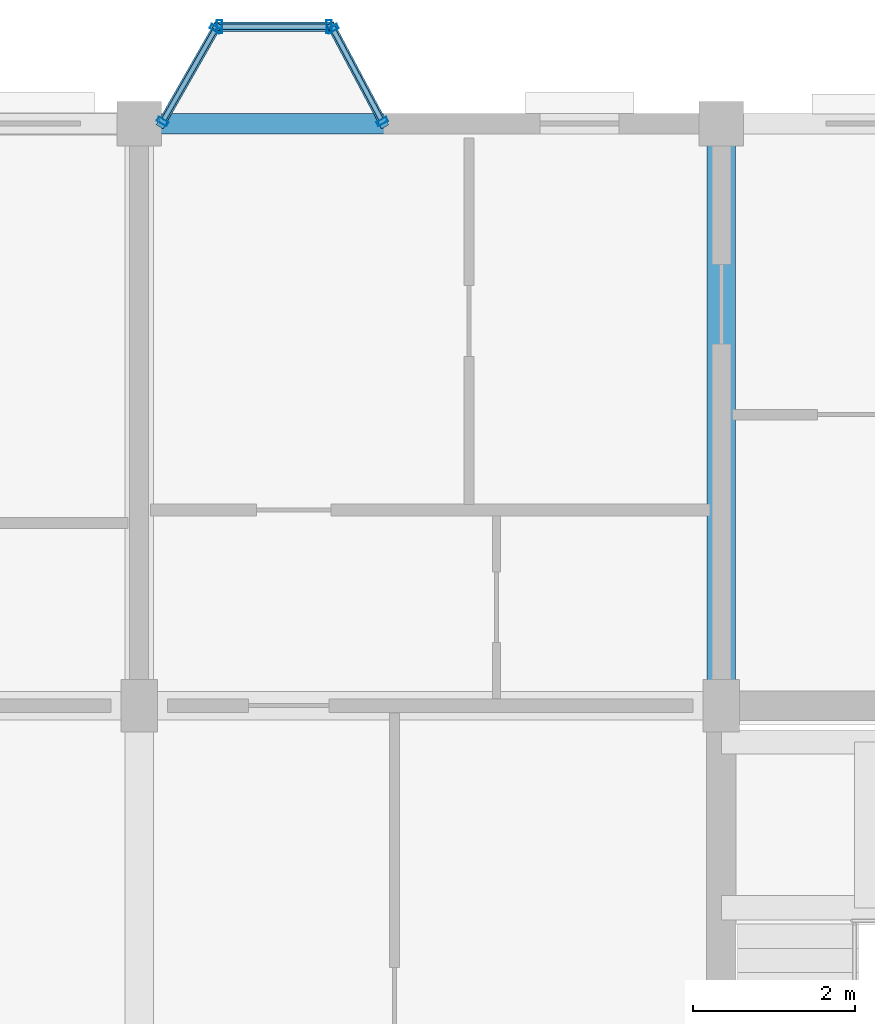
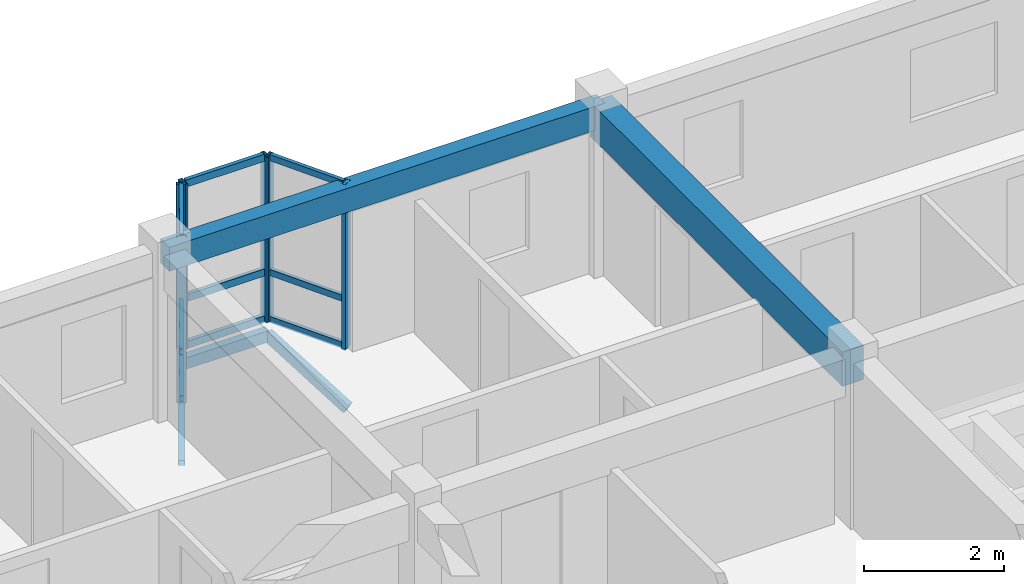
# One storey, part 42 of 79: 18 members, 2 beams, 3 elements without a shape of their own.
"""IFC4 building model written with IfcOpenShell, lengths in metres."""

from ifc_helpers import new_model, si_unit, direction, frame, origin, origin_2d, place, context, subcontext, project, spatial, rectangle, hollow_rectangle, extrude, material, layer, layer_set, material_profile, profile_set, type_object, element, aggregate, save


model = new_model("IFC4")

# Units and contexts
model_context = context("Model", 3, precision=1e-05, world=origin(), true_north=direction((0.0, 1.0)))
body_context = subcontext(model_context, "Body", "Model", "MODEL_VIEW")
ifc_project = project(units=[si_unit("LENGTHUNIT", "METRE"), si_unit("AREAUNIT", "SQUARE_METRE"), si_unit("VOLUMEUNIT", "CUBIC_METRE"), si_unit("PLANEANGLEUNIT", "RADIAN"), si_unit("MASSUNIT", "GRAM", prefix="KILO"), si_unit("THERMODYNAMICTEMPERATUREUNIT", "KELVIN"), si_unit("POWERUNIT", "WATT")], contexts=[model_context])

# Site, building, storey
site_placement = place(None, origin())
site = spatial("IfcSite", under=ifc_project, at=site_placement, CompositionType="ELEMENT")
building_placement = place(site_placement, origin())
building = spatial("IfcBuilding", under=site, at=building_placement, Name="Tavuni Mirador Residences", CompositionType="ELEMENT")
storey_placement = place(building_placement, frame((0.0, 0.0, 13.949951171875)))
storey = spatial("IfcBuildingStorey", under=building, at=storey_placement, Name="L04", CompositionType="ELEMENT", Elevation=13.949951171875)

# Beams
ifc_material_1 = material(Name="Precast concrete C40/50", Category="concrete")
ifc_material_profile_1 = material_profile(ifc_material_1, rectangle(XDim=0.35009765625, YDim=0.60009765625, at=origin_2d()), Name="PC 350x600", Category="concrete")
ifc_profile_set_1 = profile_set([ifc_material_profile_1], Name="Precast concrete C40/50")
beam_type_1 = type_object("IfcBeamType", Name="BT-B600", PredefinedType="BEAM", material=ifc_profile_set_1)
beam_1_placement = place(storey_placement, frame((25.199951171875, 165.60009765625, 2.5849609375), z_axis=(0.0, 1.0, 0.0), x_axis=(-1.0, 0.0, 0.0)))
element("IfcBeam", 1, at=beam_1_placement, inside=storey, type_object=beam_type_1, Name="BMY-BLK-C-L04-02-03", PredefinedType="BEAM", context=body_context, shape_type="SweptSolid", body=[
    extrude(rectangle(XDim=0.35009765625, YDim=0.60009765625, at=origin_2d()), origin(), (0.0, 0.0, 1.0), 7.199951171875),
])
ifc_material_profile_2 = material_profile(ifc_material_1, rectangle(XDim=0.25, YDim=0.419921875, at=origin_2d()), Name="PC 250x420", Category="concrete")
ifc_profile_set_2 = profile_set([ifc_material_profile_2], Name="Precast concrete C40/50")
beam_type_2 = type_object("IfcBeamType", Name="BT-SP420", PredefinedType="SPANDREL", material=ifc_profile_set_2)
beam_2_placement = place(storey_placement, frame((18.0, 172.800048828125, 2.675048828125), z_axis=(1.0, 0.0, 0.0), x_axis=(0.0, 1.0, 0.0)))
element("IfcBeam", 2, at=beam_2_placement, inside=storey, type_object=beam_type_2, Name="BMX-BLK-C-L04-01-04", PredefinedType="SPANDREL", context=body_context, shape_type="SweptSolid", body=[
    extrude(rectangle(XDim=0.25, YDim=0.419921875, at=origin_2d()), origin(), (0.0, 0.0, 1.0), 7.199951171875),
])

# Curtain wall, members
ifc_material_2 = material(Name="Anodised aluminium", Category="aluminium")
ifc_layer_1 = layer(ifc_material_2, 0.175048828125, Name="Anodised aluminium", Category="aluminium")
ifc_layer_set_1 = layer_set([ifc_layer_1], Name="Anodised aluminium")
curtain_wall_type_1 = type_object("IfcCurtainWallType", Name="CWT-MIR-C", PredefinedType="NOTDEFINED", material=ifc_layer_set_1)
curtain_wall_1_placement = place(storey_placement, origin())
curtain_wall_1 = element("IfcCurtainWall", 3, at=curtain_wall_1_placement, inside=storey, type_object=curtain_wall_type_1, Name="CW-MIR-C-N1-L04-M1", PredefinedType="NOTDEFINED")
ifc_material_profile_3 = material_profile(ifc_material_2, hollow_rectangle(XDim=0.06005859375, YDim=0.139892578125, WallThickness=0.00390625, at=origin_2d()), Name="ALU 60x140x4.0", Category="aluminium")
ifc_profile_set_3 = profile_set([ifc_material_profile_3], Name="Anodised aluminium")
member_type_1 = type_object("IfcMemberType", Name="CWM-140", PredefinedType="MULLION", material=ifc_profile_set_3)
member_1_placement = place(storey_placement, frame((21.005859375, 172.826416015625, 0.0), z_axis=(0.0, 0.0, 1.0), x_axis=(-0.470588235296, 0.882352941175, 0.0)))
member_1 = element("IfcMember", 4, at=member_1_placement, type_object=member_type_1, Name="CW-03 mullion 1", PredefinedType="MULLION", context=body_context, shape_type="SweptSolid", body=[
    extrude(hollow_rectangle(XDim=0.06005859375, YDim=0.139892578125, WallThickness=0.00390625, at=origin_2d()), origin(), (0.0, 0.0, 1.0), 2.885009765625),
])
member_2_placement = place(storey_placement, frame((20.39404296875, 173.9736328125, 0.0), z_axis=(0.0, 0.0, 1.0), x_axis=(-0.470588235296, 0.882352941175, 0.0)))
member_2 = element("IfcMember", 5, at=member_2_placement, type_object=member_type_1, Name="CW-03 mullion 2", PredefinedType="MULLION", context=body_context, shape_type="SweptSolid", body=[
    extrude(hollow_rectangle(XDim=0.06005859375, YDim=0.139892578125, WallThickness=0.00390625, at=origin_2d()), origin(), (0.0, 0.0, 1.0), 2.885009765625),
])

ifc_layer_2 = layer(ifc_material_2, 0.1650390625, Name="Anodised aluminium", Category="aluminium")
ifc_layer_set_2 = layer_set([ifc_layer_2], Name="Anodised aluminium")
curtain_wall_type_2 = type_object("IfcCurtainWallType", Name="CWT-MIR-A", PredefinedType="NOTDEFINED", material=ifc_layer_set_2)
curtain_wall_2_placement = place(storey_placement, origin())
curtain_wall_2 = element("IfcCurtainWall", 6, at=curtain_wall_2_placement, inside=storey, type_object=curtain_wall_type_2, Name="CW-MIR-C-N1-L04-M2", PredefinedType="NOTDEFINED")
member_3_placement = place(storey_placement, frame((18.945068359375, 173.973876953125, 0.0), z_axis=(0.0, 0.0, 1.0), x_axis=(-0.495749192217, -0.868465738194, 0.0)))
member_3 = element("IfcMember", 7, at=member_3_placement, type_object=member_type_1, Name="CW-01 mullion 1", PredefinedType="MULLION", context=body_context, shape_type="SweptSolid", body=[
    extrude(hollow_rectangle(XDim=0.06005859375, YDim=0.139892578125, WallThickness=0.00390625, at=origin_2d()), origin(), (0.0, 0.0, 1.0), 2.885009765625),
])
member_4_placement = place(storey_placement, frame((18.289794921875, 172.826171875, 0.0), z_axis=(0.0, 0.0, 1.0), x_axis=(-0.495749192217, -0.868465738194, 0.0)))
member_4 = element("IfcMember", 8, at=member_4_placement, type_object=member_type_1, Name="CW-01 mullion 2", PredefinedType="MULLION", context=body_context, shape_type="SweptSolid", body=[
    extrude(hollow_rectangle(XDim=0.06005859375, YDim=0.139892578125, WallThickness=0.00390625, at=origin_2d()), origin(), (0.0, 0.0, 1.0), 2.885009765625),
])

ifc_layer_3 = layer(ifc_material_2, 0.159912109375, Name="Anodised aluminium", Category="aluminium")
ifc_layer_set_3 = layer_set([ifc_layer_3], Name="Anodised aluminium")
curtain_wall_type_3 = type_object("IfcCurtainWallType", Name="CWT-MIR-D", PredefinedType="NOTDEFINED", material=ifc_layer_set_3)
curtain_wall_3_placement = place(storey_placement, origin())
curtain_wall_3 = element("IfcCurtainWall", 9, at=curtain_wall_3_placement, inside=storey, type_object=curtain_wall_type_3, Name="CW-MIR-C-N1-L04-MF", PredefinedType="NOTDEFINED")
ifc_material_profile_4 = material_profile(ifc_material_2, hollow_rectangle(XDim=0.06494140625, YDim=0.1650390625, WallThickness=0.00439453125, at=origin_2d()), Name="ALU 65x165x4.5", Category="aluminium")
ifc_profile_set_4 = profile_set([ifc_material_profile_4], Name="Anodised aluminium")
member_type_2 = type_object("IfcMemberType", Name="CWM-165", PredefinedType="MULLION", material=ifc_profile_set_4)
member_5_placement = place(storey_placement, frame((20.347412109375, 174.0, 0.0), z_axis=(0.0, 0.0, 1.0), x_axis=(-1.0, 0.0, 0.0)))
member_5 = element("IfcMember", 10, at=member_5_placement, type_object=member_type_2, Name="CW-04 mullion 1", PredefinedType="MULLION", context=body_context, shape_type="SweptSolid", body=[
    extrude(hollow_rectangle(XDim=0.06494140625, YDim=0.1650390625, WallThickness=0.00439453125, at=origin_2d()), origin(), (0.0, 0.0, 1.0), 2.885009765625),
])
member_6_placement = place(storey_placement, frame((18.992431640625, 174.0, 0.0), z_axis=(0.0, 0.0, 1.0), x_axis=(-1.0, 0.0, 0.0)))
member_6 = element("IfcMember", 11, at=member_6_placement, type_object=member_type_2, Name="CW-04 mullion 2", PredefinedType="MULLION", context=body_context, shape_type="SweptSolid", body=[
    extrude(hollow_rectangle(XDim=0.06494140625, YDim=0.1650390625, WallThickness=0.00439453125, at=origin_2d()), origin(), (0.0, 0.0, 1.0), 2.885009765625),
])

# Member
ifc_material_profile_5 = material_profile(ifc_material_2, hollow_rectangle(XDim=0.06005859375, YDim=0.110107421875, WallThickness=0.00390625, at=origin_2d()), Name="ALU 60x110x4.0", Category="aluminium")
ifc_profile_set_5 = profile_set([ifc_material_profile_5], Name="Anodised aluminium")
member_type_3 = type_object("IfcMemberType", Name="CWT-110", PredefinedType="USERDEFINED", material=ifc_profile_set_5)
member_7_placement = place(storey_placement, frame((20.99169921875, 172.85302734375, 0.030029296875), z_axis=(-0.470608675382, 0.882342039492, 0.0), x_axis=(-0.882342039492, -0.470608675382, 0.0)))
member_7 = element("IfcMember", 12, at=member_7_placement, type_object=member_type_3, Name="CW-03 transom 1.1", ObjectType="TRANSOM", PredefinedType="USERDEFINED", context=body_context, shape_type="SweptSolid", body=[
    extrude(hollow_rectangle(XDim=0.06005859375, YDim=0.110107421875, WallThickness=0.00390625, at=origin_2d()), origin(), (0.0, 0.0, 1.0), 1.239990234375),
])

member_8_placement = place(storey_placement, frame((20.99169921875, 172.85302734375, 0.85009765625), z_axis=(-0.470608675382, 0.882342039492, 0.0), x_axis=(-0.882342039492, -0.470608675382, 0.0)))
member_8 = element("IfcMember", 13, at=member_8_placement, type_object=member_type_3, Name="CW-03 transom 1.2", ObjectType="TRANSOM", PredefinedType="USERDEFINED", context=body_context, shape_type="SweptSolid", body=[
    extrude(hollow_rectangle(XDim=0.06005859375, YDim=0.110107421875, WallThickness=0.00390625, at=origin_2d()), origin(), (0.0, 0.0, 1.0), 1.239990234375),
])

member_9_placement = place(storey_placement, frame((20.99169921875, 172.85302734375, 2.85498046875), z_axis=(-0.470608675382, 0.882342039492, 0.0), x_axis=(-0.882342039492, -0.470608675382, 0.0)))
member_9 = element("IfcMember", 14, at=member_9_placement, type_object=member_type_3, Name="CW-03 transom 1.3", ObjectType="TRANSOM", PredefinedType="USERDEFINED", context=body_context, shape_type="SweptSolid", body=[
    extrude(hollow_rectangle(XDim=0.06005859375, YDim=0.110107421875, WallThickness=0.00390625, at=origin_2d()), origin(), (0.0, 0.0, 1.0), 1.239990234375),
])

aggregate(curtain_wall_1, [member_1, member_2, member_7, member_8, member_9])

member_10_placement = place(storey_placement, frame((18.93017578125, 173.947998046875, 0.030029296875), z_axis=(-0.49568048457, -0.868504955205, 0.0), x_axis=(0.868504955205, -0.49568048457, 0.0)))
member_10 = element("IfcMember", 15, at=member_10_placement, type_object=member_type_3, Name="CW-01 transom 1.1", ObjectType="TRANSOM", PredefinedType="USERDEFINED", context=body_context, shape_type="SweptSolid", body=[
    extrude(hollow_rectangle(XDim=0.06005859375, YDim=0.110107421875, WallThickness=0.00390625, at=origin_2d()), origin(), (0.0, 0.0, 1.0), 1.261962890625),
])

member_11_placement = place(storey_placement, frame((18.93017578125, 173.947998046875, 0.85009765625), z_axis=(-0.49568048457, -0.868504955205, 0.0), x_axis=(0.868504955205, -0.49568048457, 0.0)))
member_11 = element("IfcMember", 16, at=member_11_placement, type_object=member_type_3, Name="CW-01 transom 1.2", ObjectType="TRANSOM", PredefinedType="USERDEFINED", context=body_context, shape_type="SweptSolid", body=[
    extrude(hollow_rectangle(XDim=0.06005859375, YDim=0.110107421875, WallThickness=0.00390625, at=origin_2d()), origin(), (0.0, 0.0, 1.0), 1.261962890625),
])

member_12_placement = place(storey_placement, frame((18.93017578125, 173.947998046875, 2.85498046875), z_axis=(-0.49568048457, -0.868504955205, 0.0), x_axis=(0.868504955205, -0.49568048457, 0.0)))
member_12 = element("IfcMember", 17, at=member_12_placement, type_object=member_type_3, Name="CW-01 transom 1.3", ObjectType="TRANSOM", PredefinedType="USERDEFINED", context=body_context, shape_type="SweptSolid", body=[
    extrude(hollow_rectangle(XDim=0.06005859375, YDim=0.110107421875, WallThickness=0.00390625, at=origin_2d()), origin(), (0.0, 0.0, 1.0), 1.261962890625),
])

aggregate(curtain_wall_2, [member_3, member_4, member_10, member_11, member_12])

ifc_material_profile_6 = material_profile(ifc_material_2, hollow_rectangle(XDim=0.06494140625, YDim=0.125, WallThickness=0.00439453125, at=origin_2d()), Name="ALU 65x125x4.5", Category="aluminium")
ifc_profile_set_6 = profile_set([ifc_material_profile_6], Name="Anodised aluminium")
member_type_4 = type_object("IfcMemberType", Name="CWT-125", PredefinedType="USERDEFINED", material=ifc_profile_set_6)
member_13_placement = place(storey_placement, frame((20.31494140625, 174.0, 0.032470703125), z_axis=(-1.0, 0.0, 0.0), x_axis=(0.0, -1.0, 0.0)))
member_13 = element("IfcMember", 18, at=member_13_placement, type_object=member_type_4, Name="CW-04 transom 1.1", ObjectType="TRANSOM", PredefinedType="USERDEFINED", context=body_context, shape_type="SweptSolid", body=[
    extrude(hollow_rectangle(XDim=0.06494140625, YDim=0.125, WallThickness=0.00439453125, at=origin_2d()), origin(), (0.0, 0.0, 1.0), 1.2900390625),
])

member_14_placement = place(storey_placement, frame((20.31494140625, 174.0, 0.85009765625), z_axis=(-1.0, 0.0, 0.0), x_axis=(0.0, -1.0, 0.0)))
member_14 = element("IfcMember", 19, at=member_14_placement, type_object=member_type_4, Name="CW-04 transom 1.2", ObjectType="TRANSOM", PredefinedType="USERDEFINED", context=body_context, shape_type="SweptSolid", body=[
    extrude(hollow_rectangle(XDim=0.06494140625, YDim=0.125, WallThickness=0.00439453125, at=origin_2d()), origin(), (0.0, 0.0, 1.0), 1.2900390625),
])

member_15_placement = place(storey_placement, frame((20.31494140625, 174.0, 2.8525390625), z_axis=(-1.0, 0.0, 0.0), x_axis=(0.0, -1.0, 0.0)))
member_15 = element("IfcMember", 20, at=member_15_placement, type_object=member_type_4, Name="CW-04 transom 1.3", ObjectType="TRANSOM", PredefinedType="USERDEFINED", context=body_context, shape_type="SweptSolid", body=[
    extrude(hollow_rectangle(XDim=0.06494140625, YDim=0.125, WallThickness=0.00439453125, at=origin_2d()), origin(), (0.0, 0.0, 1.0), 1.2900390625),
])

aggregate(curtain_wall_3, [member_5, member_6, member_13, member_14, member_15])

# Members
ifc_material_3 = material(Name="Structural steel S355", Category="steel")
ifc_material_profile_7 = material_profile(ifc_material_3, hollow_rectangle(XDim=0.10009765625, YDim=0.179931640625, WallThickness=0.008056640625, at=origin_2d()), Name="RHS 180x100x8.0", Category="steel")
ifc_profile_set_7 = profile_set([ifc_material_profile_7], Name="Structural steel S355")
member_type_5 = type_object("IfcMemberType", Name="MT-BR-RHS180", PredefinedType="BRACE", material=ifc_profile_set_7)
member_16_placement = place(storey_placement, frame((18.27490234375, 172.800048828125, -1.050048828125), z_axis=(0.431062666154, 0.755050963701, 0.494047588863), x_axis=(-0.868438794398, 0.495796390047, 0.0)))
element("IfcMember", 21, at=member_16_placement, inside=storey, type_object=member_type_5, Name="MBRK-MIR-C-N1-L04-1", PredefinedType="BRACE", context=body_context, shape_type="SweptSolid", body=[
    extrude(hollow_rectangle(XDim=0.10009765625, YDim=0.179931640625, WallThickness=0.008056640625, at=origin_2d()), origin(), (0.0, 0.0, 1.0), 1.589111328125),
])
member_17_placement = place(storey_placement, frame((21.02001953125, 172.800048828125, -1.050048828125), z_axis=(-0.4076288534, 0.764109769055, 0.499974978084), x_axis=(-0.882303244255, -0.470681405175, 0.0)))
element("IfcMember", 22, at=member_17_placement, inside=storey, type_object=member_type_5, Name="MBRK-MIR-C-N1-L04-2", PredefinedType="BRACE", context=body_context, shape_type="SweptSolid", body=[
    extrude(hollow_rectangle(XDim=0.10009765625, YDim=0.179931640625, WallThickness=0.008056640625, at=origin_2d()), origin(), (0.0, 0.0, 1.0), 1.5703125),
])
ifc_material_profile_8 = material_profile(ifc_material_3, hollow_rectangle(XDim=0.1201171875, YDim=0.199951171875, WallThickness=0.010009765625, at=origin_2d()), Name="RHS 200x120x10.0", Category="steel")
ifc_profile_set_8 = profile_set([ifc_material_profile_8], Name="Structural steel S355")
member_type_6 = type_object("IfcMemberType", Name="MT-ST-RHS200", PredefinedType="STRUT", material=ifc_profile_set_8)
member_18_placement = place(storey_placement, frame((18.9599609375, 174.0, -0.264892578125), z_axis=(1.0, 0.0, 0.0), x_axis=(0.0, 1.0, 0.0)))
element("IfcMember", 23, at=member_18_placement, inside=storey, type_object=member_type_6, Name="MRIM-MIR-C-N1-L04", PredefinedType="STRUT", context=body_context, shape_type="SweptSolid", body=[
    extrude(hollow_rectangle(XDim=0.1201171875, YDim=0.199951171875, WallThickness=0.010009765625, at=origin_2d()), origin(), (0.0, 0.0, 1.0), 1.419921875),
])

save(model, "model.ifc")
